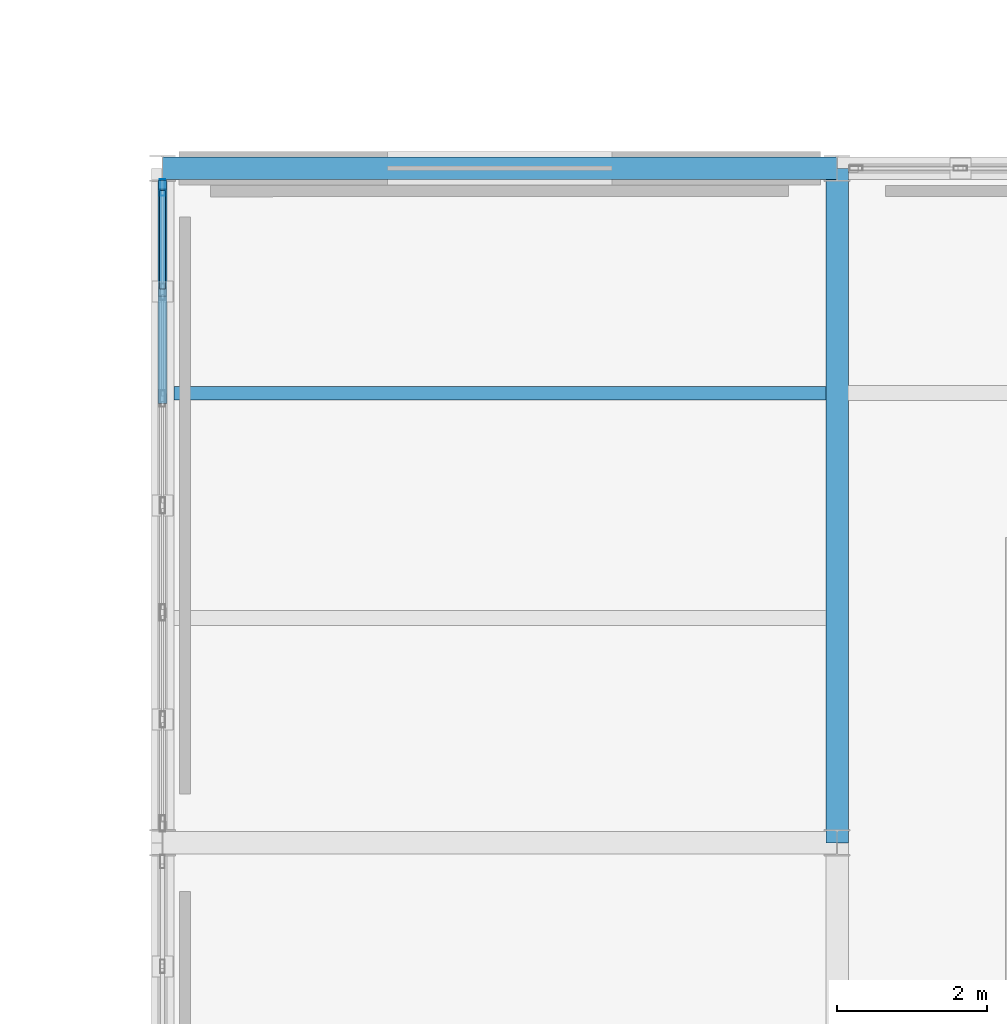
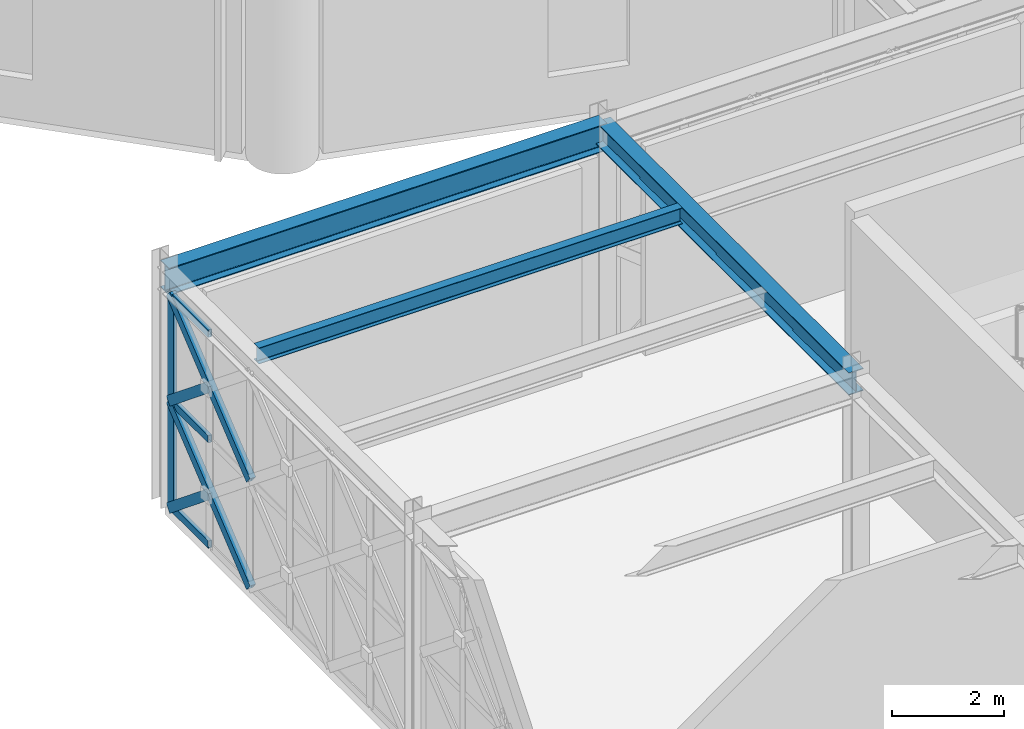
# One storey, part 36 of 166: 8 members, 3 beams, 1 element without a shape of its own.
"""IFC4 building model written with IfcOpenShell, lengths in metres."""

from ifc_helpers import new_model, si_unit, direction, frame, origin, origin_2d, place, context, subcontext, project, spatial, hollow_rectangle, i_section, extrude, material, material_profile, profile_set, type_object, element, aggregate, save


model = new_model("IFC4")

# Units and contexts
model_context = context("Model", 3, precision=1e-05, world=origin(), true_north=direction((0.0, 1.0)))
body_context = subcontext(model_context, "Body", "Model", "MODEL_VIEW")
ifc_project = project(units=[si_unit("LENGTHUNIT", "METRE"), si_unit("AREAUNIT", "SQUARE_METRE"), si_unit("VOLUMEUNIT", "CUBIC_METRE"), si_unit("PLANEANGLEUNIT", "RADIAN"), si_unit("MASSUNIT", "GRAM", prefix="KILO")], contexts=[model_context])

# Site, building, storey
site_placement = place(None, origin())
site = spatial("IfcSite", under=ifc_project, at=site_placement, CompositionType="ELEMENT")
building_placement = place(site_placement, origin())
building = spatial("IfcBuilding", under=site, at=building_placement, Name="Haizhuo Lancet Aquarium", CompositionType="ELEMENT")
storey_placement = place(building_placement, frame((0.0, 0.0, 5.39990234375)))
storey = spatial("IfcBuildingStorey", under=building, at=storey_placement, Name="L01", CompositionType="ELEMENT", Elevation=5.39990234375)

# Beams
ifc_material_1 = material(Name="Steel S355", Category="steel")
ifc_material_profile_1 = material_profile(ifc_material_1, i_section(OverallWidth=0.300048828125, OverallDepth=0.488037109375, WebThickness=0.010986328125, FlangeThickness=0.01806640625, FilletRadius=0.02392578125, at=origin_2d()), Name="HM 488x300x11x18")
ifc_profile_set_1 = profile_set([ifc_material_profile_1], Name="Steel S355")
beam_type_1 = type_object("IfcBeamType", Name="BM-ST-HM488", PredefinedType="BEAM", material=ifc_profile_set_1)
beam_1_placement = place(storey_placement, frame((-9.0, -36.0, 4.89599609375), z_axis=(0.0, 1.0, 0.0), x_axis=(-1.0, 0.0, 0.0)))
element("IfcBeam", 1, at=beam_1_placement, inside=storey, type_object=beam_type_1, Name="L01 V4 primary girder BM-L01-V4-012", PredefinedType="BEAM", context=body_context, shape_type="SweptSolid", body=[
    extrude(i_section(OverallWidth=0.300048828125, OverallDepth=0.488037109375, WebThickness=0.010986328125, FlangeThickness=0.01806640625, FilletRadius=0.02392578125, at=origin_2d()), origin(), (0.0, 0.0, 1.0), 9.0),
])
ifc_material_profile_2 = material_profile(ifc_material_1, i_section(OverallWidth=0.300048828125, OverallDepth=0.587890625, WebThickness=0.011962890625, FlangeThickness=0.02001953125, FilletRadius=0.02587890625, at=origin_2d()), Name="HM 588x300x12x20")
ifc_profile_set_2 = profile_set([ifc_material_profile_2], Name="Steel S355")
beam_type_2 = type_object("IfcBeamType", Name="BM-ST-HM588", PredefinedType="BEAM", material=ifc_profile_set_2)
beam_2_placement = place(storey_placement, frame((-18.0, -27.0, 4.84619140625), z_axis=(1.0, 0.0, 0.0), x_axis=(0.0, 1.0, 0.0)))
element("IfcBeam", 2, at=beam_2_placement, inside=storey, type_object=beam_type_2, Name="L01 V4 primary girder BM-L01-V4-007", PredefinedType="BEAM", context=body_context, shape_type="SweptSolid", body=[
    extrude(i_section(OverallWidth=0.300048828125, OverallDepth=0.587890625, WebThickness=0.011962890625, FlangeThickness=0.02001953125, FilletRadius=0.02587890625, at=origin_2d()), origin(), (0.0, 0.0, 1.0), 9.0),
])

# Curtain wall, members
ifc_material_2 = material(Name="Aluminium 6063-T6", Category="aluminium")
curtain_wall_type = type_object("IfcCurtainWallType", Name="CWO-8560x4650", PredefinedType="NOTDEFINED", material=ifc_material_2)
curtain_wall_placement = place(storey_placement, origin())
curtain_wall = element("IfcCurtainWall", 3, at=curtain_wall_placement, inside=storey, type_object=curtain_wall_type, Name="L01 curtain wall CW-V4-L01-101", PredefinedType="NOTDEFINED")
ifc_material_profile_3 = material_profile(ifc_material_2, hollow_rectangle(XDim=0.074951171875, YDim=0.219970703125, WallThickness=0.0048828125, at=origin_2d()), Name="ALU-M 75x220x5")
ifc_profile_set_3 = profile_set([ifc_material_profile_3], Name="Aluminium 6063-T6")
member_type_1 = type_object("IfcMemberType", Name="CW-MUL-2", PredefinedType="MULLION", material=ifc_profile_set_3)
member_1_placement = place(storey_placement, frame((-18.0, -27.258056640625, 0.0), z_axis=(0.0, 0.0, 1.0), x_axis=(-1.0, 0.0, 0.0)))
member_1 = element("IfcMember", 4, at=member_1_placement, type_object=member_type_1, Name="CWO-85x46 mullion 7", PredefinedType="MULLION", context=body_context, shape_type="SweptSolid", body=[
    extrude(hollow_rectangle(XDim=0.074951171875, YDim=0.219970703125, WallThickness=0.0048828125, at=origin_2d()), origin(), (0.0, 0.0, 1.0), 4.652099609375),
])
ifc_material_profile_4 = material_profile(ifc_material_2, hollow_rectangle(XDim=0.074951171875, YDim=0.159912109375, WallThickness=0.00390625, at=origin_2d()), Name="ALU-T 75x160x4")
ifc_profile_set_4 = profile_set([ifc_material_profile_4], Name="Aluminium 6063-T6")
member_type_2 = type_object("IfcMemberType", Name="CW-TRN-2", PredefinedType="NOTDEFINED", material=ifc_profile_set_4)
member_2_placement = place(storey_placement, frame((-18.0, -28.60888671875, 0.0380859375), z_axis=(0.0, 1.0, 0.0), x_axis=(-1.0, 0.0, 0.0)))
member_2 = element("IfcMember", 5, at=member_2_placement, type_object=member_type_2, Name="CWO-85x46 transom 6.1", ObjectType="TRANSOM", PredefinedType="USERDEFINED", context=body_context, shape_type="SweptSolid", body=[
    extrude(hollow_rectangle(XDim=0.074951171875, YDim=0.159912109375, WallThickness=0.00390625, at=origin_2d()), origin(), (0.0, 0.0, 1.0), 1.31396484375),
])
member_3_placement = place(storey_placement, frame((-18.0, -28.60888671875, 2.326171875), z_axis=(0.0, 1.0, 0.0), x_axis=(-1.0, 0.0, 0.0)))
member_3 = element("IfcMember", 6, at=member_3_placement, type_object=member_type_2, Name="CWO-85x46 transom 6.2", ObjectType="TRANSOM", PredefinedType="USERDEFINED", context=body_context, shape_type="SweptSolid", body=[
    extrude(hollow_rectangle(XDim=0.074951171875, YDim=0.159912109375, WallThickness=0.00390625, at=origin_2d()), origin(), (0.0, 0.0, 1.0), 1.31396484375),
])
member_4_placement = place(storey_placement, frame((-18.0, -28.60888671875, 4.614013671875), z_axis=(0.0, 1.0, 0.0), x_axis=(-1.0, 0.0, 0.0)))
member_4 = element("IfcMember", 7, at=member_4_placement, type_object=member_type_2, Name="CWO-85x46 transom 6.3", ObjectType="TRANSOM", PredefinedType="USERDEFINED", context=body_context, shape_type="SweptSolid", body=[
    extrude(hollow_rectangle(XDim=0.074951171875, YDim=0.159912109375, WallThickness=0.00390625, at=origin_2d()), origin(), (0.0, 0.0, 1.0), 1.31396484375),
])
aggregate(curtain_wall, [member_1, member_2, member_3, member_4])

# Beam
ifc_material_profile_5 = material_profile(ifc_material_1, i_section(OverallWidth=0.175048828125, OverallDepth=0.35009765625, WebThickness=0.007080078125, FlangeThickness=0.010986328125, FilletRadius=0.013916015625, at=origin_2d()), Name="HN 350x175x7x11")
ifc_profile_set_5 = profile_set([ifc_material_profile_5], Name="Steel S355")
beam_type_3 = type_object("IfcBeamType", Name="JST-ST-HN350", PredefinedType="JOIST", material=ifc_profile_set_5)
beam_3_placement = place(storey_placement, frame((-17.85009765625, -30.0, 4.965087890625), z_axis=(1.0, 0.0, 0.0), x_axis=(0.0, 1.0, 0.0)))
element("IfcBeam", 8, at=beam_3_placement, inside=storey, type_object=beam_type_3, Name="L01 V4 secondary floor joist 6", PredefinedType="JOIST", context=body_context, shape_type="SweptSolid", body=[
    extrude(i_section(OverallWidth=0.175048828125, OverallDepth=0.35009765625, WebThickness=0.007080078125, FlangeThickness=0.010986328125, FilletRadius=0.013916015625, at=origin_2d()), origin(), (0.0, 0.0, 1.0), 8.7001953125),
])

# Members
ifc_material_profile_6 = material_profile(ifc_material_1, hollow_rectangle(XDim=0.1201171875, YDim=0.199951171875, WallThickness=0.008056640625, at=origin_2d()), Name="RHS 120x200x8")
ifc_profile_set_6 = profile_set([ifc_material_profile_6], Name="Steel S355")
member_type_3 = type_object("IfcMemberType", Name="MEM-LB-RHS120x200", PredefinedType="BRACE", material=ifc_profile_set_6)
member_5_placement = place(storey_placement, frame((-18.0, -30.072998046875, 0.0), z_axis=(0.0, 0.775037676978, 0.631915025351), x_axis=(-1.0, 0.0, 0.0)))
element("IfcMember", 9, at=member_5_placement, inside=storey, type_object=member_type_3, Name="Gothic lancet continuous diagonal brace CW-V4-L01-101 5A", PredefinedType="BRACE", context=body_context, shape_type="SweptSolid", body=[
    extrude(hollow_rectangle(XDim=0.1201171875, YDim=0.199951171875, WallThickness=0.008056640625, at=origin_2d()), origin(), (0.0, 0.0, 1.0), 3.68115234375),
])
member_6_placement = place(storey_placement, frame((-18.0, -27.219970703125, 0.0), z_axis=(0.0, -0.774931710564, 0.63204496989), x_axis=(1.0, 0.0, 0.0)))
element("IfcMember", 10, at=member_6_placement, inside=storey, type_object=member_type_3, Name="Gothic lancet split diagonal brace CW-V4-L01-101 5B1", PredefinedType="BRACE", context=body_context, shape_type="SweptSolid", body=[
    extrude(hollow_rectangle(XDim=0.1201171875, YDim=0.199951171875, WallThickness=0.008056640625, at=origin_2d()), origin(), (0.0, 0.0, 1.0), 1.840087890625),
])
member_7_placement = place(storey_placement, frame((-18.0, -30.072998046875, 2.326171875), z_axis=(0.0, 0.775070158992, 0.631875184384), x_axis=(-1.0, 0.0, 0.0)))
element("IfcMember", 11, at=member_7_placement, inside=storey, type_object=member_type_3, Name="Gothic lancet continuous diagonal brace CW-V4-L01-101 6A", PredefinedType="BRACE", context=body_context, shape_type="SweptSolid", body=[
    extrude(hollow_rectangle(XDim=0.1201171875, YDim=0.199951171875, WallThickness=0.008056640625, at=origin_2d()), origin(), (0.0, 0.0, 1.0), 3.680908203125),
])
member_8_placement = place(storey_placement, frame((-18.0, -27.219970703125, 2.326171875), z_axis=(0.0, -0.774996693103, 0.63196528835), x_axis=(1.0, 0.0, 0.0)))
element("IfcMember", 12, at=member_8_placement, inside=storey, type_object=member_type_3, Name="Gothic lancet split diagonal brace CW-V4-L01-101 6B1", PredefinedType="BRACE", context=body_context, shape_type="SweptSolid", body=[
    extrude(hollow_rectangle(XDim=0.1201171875, YDim=0.199951171875, WallThickness=0.008056640625, at=origin_2d()), origin(), (0.0, 0.0, 1.0), 1.840087890625),
])

save(model, "model.ifc")
